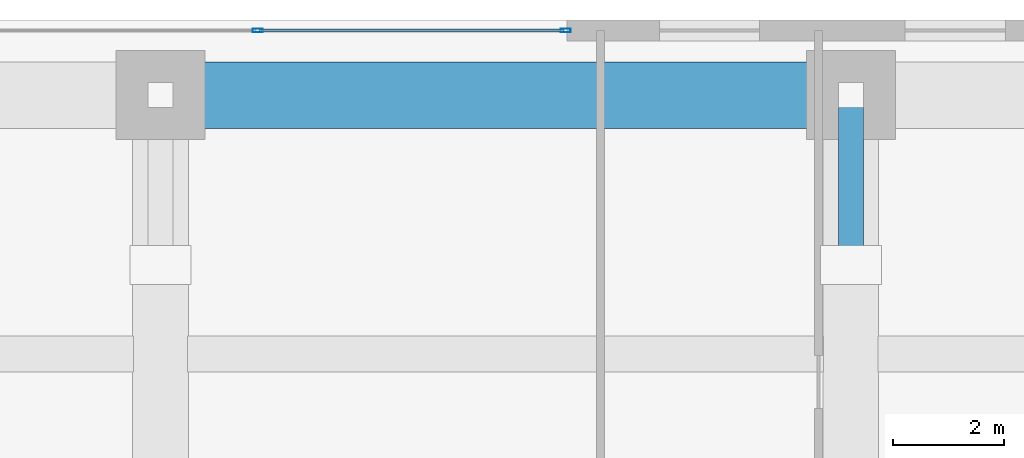
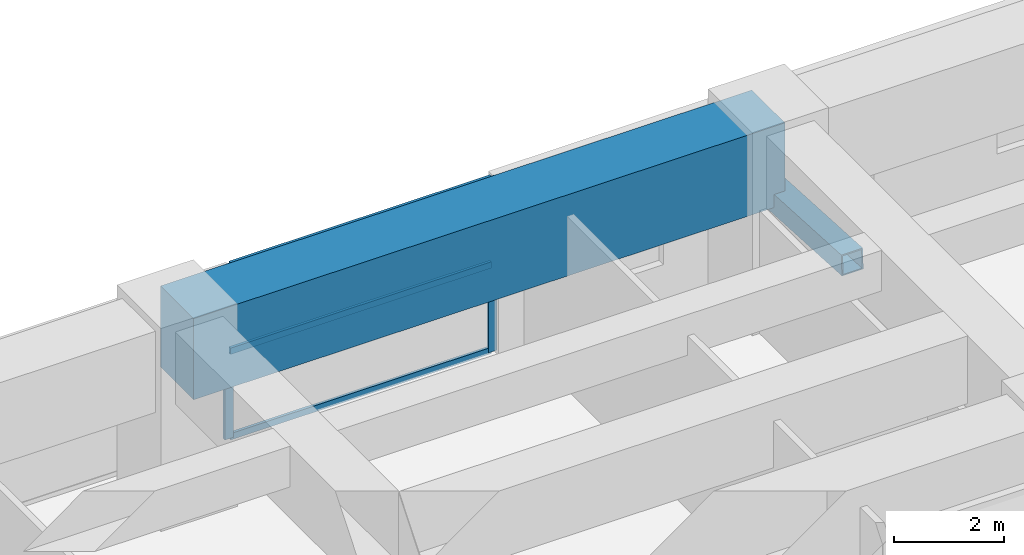
# One storey, part 8 of 33: 6 members, 1 beam, 1 element without a shape of its own.
"""IFC4 building model written with IfcOpenShell, lengths in metres."""

from ifc_helpers import new_model, si_unit, direction, frame, origin, origin_2d, place, context, subcontext, project, spatial, rectangle, hollow_rectangle, extrude, source, transform, mapped, material, layer, layer_set, material_profile, profile_set, type_object, element, aggregate, save


model = new_model("IFC4")

# Units and contexts
model_context = context("Model", 3, precision=1e-05, world=origin(), true_north=direction((0.0, 1.0)))
body_context = subcontext(model_context, "Body", "Model", "MODEL_VIEW")
ifc_project = project(units=[si_unit("LENGTHUNIT", "METRE"), si_unit("AREAUNIT", "SQUARE_METRE"), si_unit("VOLUMEUNIT", "CUBIC_METRE"), si_unit("PLANEANGLEUNIT", "RADIAN"), si_unit("MASSUNIT", "GRAM", prefix="KILO")], contexts=[model_context])

# Site, building, storey
site_placement = place(None, origin())
site = spatial("IfcSite", under=ifc_project, at=site_placement, CompositionType="ELEMENT")
building_placement = place(site_placement, origin())
building = spatial("IfcBuilding", under=site, at=building_placement, Name="Khoralis Quay Care Tower", CompositionType="ELEMENT")
storey_placement = place(building_placement, frame((0.0, 0.0, 18.0)))
storey = spatial("IfcBuildingStorey", under=building, at=storey_placement, Name="L04", CompositionType="ELEMENT", Elevation=18.0)

# Beam
ifc_material_1 = material(Name="Concrete C80/95", Category="concrete")
ifc_material_profile_1 = material_profile(ifc_material_1, rectangle(XDim=1.199951171875, YDim=1.800048828125, at=origin_2d()), Name="Concrete C80/95")
ifc_profile_set_1 = profile_set([ifc_material_profile_1], Name="Concrete C80/95")
beam_type = type_object("IfcBeamType", Name="TG-RC1200X1800", PredefinedType="BEAM", material=ifc_profile_set_1)
shared_shape_1 = source(origin(), body_context, "Body", "SweptSolid", [
    extrude(rectangle(XDim=1.199951171875, YDim=1.800048828125, at=origin_2d()), origin(), (0.0, 0.0, 1.0), 12.39990234375),
])
beam_placement = place(storey_placement, frame((34.60009765625, 46.64990234375, 3.419921875), z_axis=(1.0, 0.0, 0.0), x_axis=(0.0, 1.0, 0.0)))
element("IfcBeam", 1, at=beam_placement, inside=storey, type_object=beam_type, Name="L04 Transfer girder BM-PODX-L04-22", PredefinedType="BEAM", context=body_context, shape_type="MappedRepresentation", body=[
    mapped(shared_shape_1, transform((0.0, 0.0, 0.0), scale=1.0)),
])

# Member
ifc_material_2 = material(Name="Steel S460", Category="steel")
ifc_material_profile_2 = material_profile(ifc_material_2, hollow_rectangle(XDim=0.449951171875, YDim=0.449951171875, WallThickness=0.02490234375, at=origin_2d()), Name="Steel S460")
ifc_profile_set_2 = profile_set([ifc_material_profile_2], Name="Steel S460")
member_type_1 = type_object("IfcMemberType", Name="BR-RHS450X450X25", PredefinedType="BRACE", material=ifc_profile_set_2)
shared_shape_2 = source(origin(), body_context, "Body", "SweptSolid", [
    extrude(hollow_rectangle(XDim=0.449951171875, YDim=0.449951171875, WallThickness=0.02490234375, at=origin_2d()), origin(), (0.0, 0.0, 1.0), 3.054443359375),
])
member_1_placement = place(storey_placement, frame((47.0, 46.64990234375, 2.550048828125), z_axis=(0.0, -0.998451487005, 0.055629381601), x_axis=(1.0, 0.0, 0.0)))
element("IfcMember", 2, at=member_1_placement, inside=storey, type_object=member_type_1, Name="Podium Transfer Truss Brace 07", PredefinedType="BRACE", context=body_context, shape_type="MappedRepresentation", body=[
    mapped(shared_shape_2, transform((0.0, 0.0, 0.0), scale=1.0)),
])

# Curtain wall, members
ifc_material_3 = material(Name="Pale anodised aluminium", Category="aluminium")
ifc_layer = layer(ifc_material_3, 0.179931640625)
ifc_layer_set = layer_set([ifc_layer], Name="Pale anodised aluminium")
curtain_wall_type = type_object("IfcCurtainWallType", Name="CW-SYS-Z1", PredefinedType="NOTDEFINED", material=ifc_layer_set)
curtain_wall_placement = place(storey_placement, origin())
curtain_wall = element("IfcCurtainWall", 3, at=curtain_wall_placement, inside=storey, type_object=curtain_wall_type, Name="L04 Unitised Curtain Wall CW-POD-L04-E4", PredefinedType="NOTDEFINED")
ifc_material_profile_3 = material_profile(ifc_material_3, hollow_rectangle(XDim=0.06005859375, YDim=0.139892578125, WallThickness=0.00390625, at=origin_2d()), Name="Pale anodised aluminium")
ifc_profile_set_3 = profile_set([ifc_material_profile_3], Name="Pale anodised aluminium")
member_type_2 = type_object("IfcMemberType", Name="CW-TRN-140", PredefinedType="USERDEFINED", material=ifc_profile_set_3)
shared_shape_3 = source(origin(), body_context, "Body", "SweptSolid", [
    extrude(hollow_rectangle(XDim=0.06005859375, YDim=0.139892578125, WallThickness=0.00390625, at=origin_2d()), origin(), (0.0, 0.0, 1.0), 5.471923828125),
])
member_2_placement = place(storey_placement, frame((41.844970703125, 47.81005859375, 0.030029296875), z_axis=(-1.0, 0.0, 0.0), x_axis=(0.0, -1.0, 0.0)))
member_2 = element("IfcMember", 4, at=member_2_placement, type_object=member_type_2, Name="CW1 transom 1.1", ObjectType="TRANSOM", PredefinedType="USERDEFINED", context=body_context, shape_type="MappedRepresentation", body=[
    mapped(shared_shape_3, transform((0.0, 0.0, 0.0), scale=1.0)),
])
member_3_placement = place(storey_placement, frame((41.844970703125, 47.81005859375, 1.925048828125), z_axis=(-1.0, 0.0, 0.0), x_axis=(0.0, -1.0, 0.0)))
member_3 = element("IfcMember", 5, at=member_3_placement, type_object=member_type_2, Name="CW1 transom 1.2", ObjectType="TRANSOM", PredefinedType="USERDEFINED", context=body_context, shape_type="MappedRepresentation", body=[
    mapped(shared_shape_3, transform((0.0, 0.0, 0.0), scale=1.0)),
])
member_4_placement = place(storey_placement, frame((41.844970703125, 47.81005859375, 3.820068359375), z_axis=(-1.0, 0.0, 0.0), x_axis=(0.0, -1.0, 0.0)))
member_4 = element("IfcMember", 6, at=member_4_placement, type_object=member_type_2, Name="CW1 transom 1.3", ObjectType="TRANSOM", PredefinedType="USERDEFINED", context=body_context, shape_type="MappedRepresentation", body=[
    mapped(shared_shape_3, transform((0.0, 0.0, 0.0), scale=1.0)),
])
ifc_material_profile_4 = material_profile(ifc_material_3, hollow_rectangle(XDim=0.06494140625, YDim=0.179931640625, WallThickness=0.00390625, at=origin_2d()), Name="Pale anodised aluminium")
ifc_profile_set_4 = profile_set([ifc_material_profile_4], Name="Pale anodised aluminium")
member_type_3 = type_object("IfcMemberType", Name="CW-MUL-180", PredefinedType="MULLION", material=ifc_profile_set_4)
shared_shape_4 = source(origin(), body_context, "Body", "SweptSolid", [
    extrude(hollow_rectangle(XDim=0.06494140625, YDim=0.179931640625, WallThickness=0.00390625, at=origin_2d()), origin(), (0.0, 0.0, 1.0), 3.85009765625),
])
member_5_placement = place(storey_placement, frame((41.875, 47.81005859375, 0.0), z_axis=(0.0, 0.0, 1.0), x_axis=(0.0, -1.0, 0.0)))
member_5 = element("IfcMember", 7, at=member_5_placement, type_object=member_type_3, Name="CW1 mullion 1", PredefinedType="MULLION", context=body_context, shape_type="MappedRepresentation", body=[
    mapped(shared_shape_4, transform((0.0, 0.0, 0.0), scale=1.0)),
])
member_6_placement = place(storey_placement, frame((36.343017578125, 47.81005859375, 0.0), z_axis=(0.0, 0.0, 1.0), x_axis=(0.0, -1.0, 0.0)))
member_6 = element("IfcMember", 8, at=member_6_placement, type_object=member_type_3, Name="CW1 mullion 2", PredefinedType="MULLION", context=body_context, shape_type="MappedRepresentation", body=[
    mapped(shared_shape_4, transform((0.0, 0.0, 0.0), scale=1.0)),
])
aggregate(curtain_wall, [member_5, member_6, member_2, member_3, member_4])

save(model, "model.ifc")
